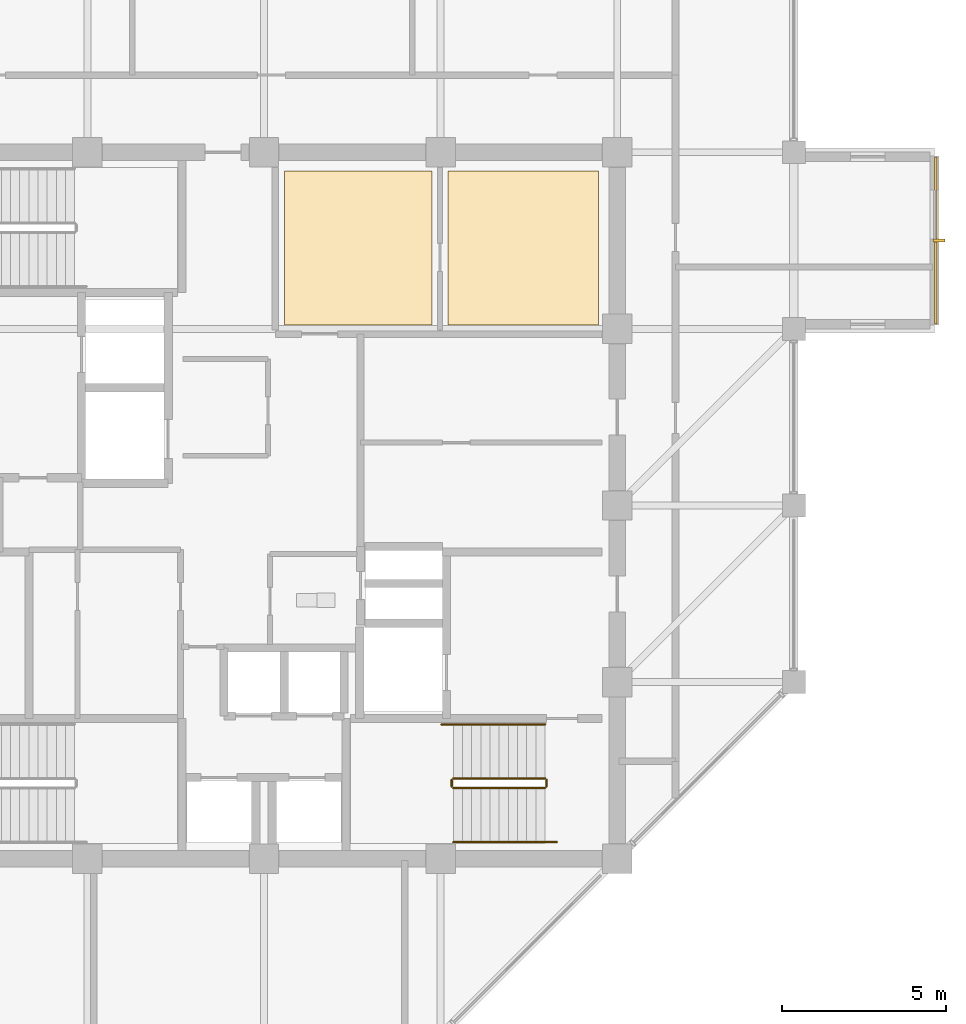
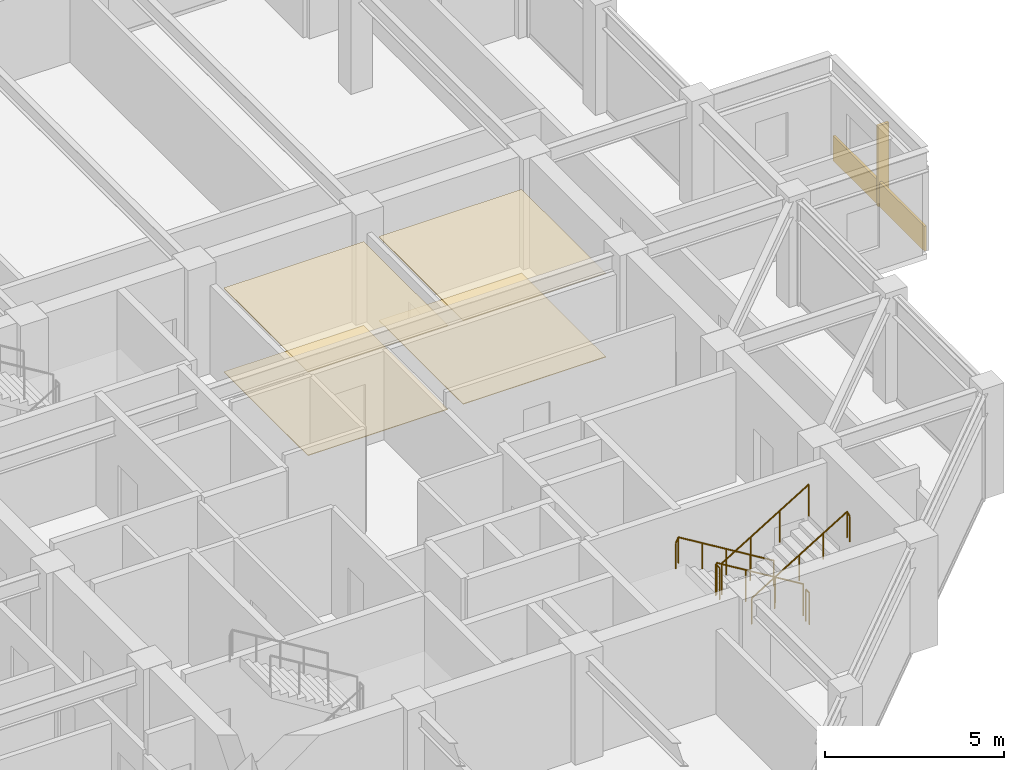
# One storey, part 30 of 31: 6 railings, 5 coverings, 1 shading device.
"""IFC4 building model written with IfcOpenShell, lengths in metres."""

from ifc_helpers import new_model, si_unit, direction, frame, origin, origin_2d, place, context, subcontext, project, spatial, polyline, rectangle, circle, outline, extrude, material, layer, layer_set, type_object, element, save


model = new_model("IFC4")

# Units and contexts
model_context = context("Model", 3, precision=1e-05, world=origin(), true_north=direction((0.0, 1.0)))
body_context = subcontext(model_context, "Body", "Model", "MODEL_VIEW")
ifc_project = project(units=[si_unit("LENGTHUNIT", "METRE"), si_unit("AREAUNIT", "SQUARE_METRE"), si_unit("VOLUMEUNIT", "CUBIC_METRE"), si_unit("PLANEANGLEUNIT", "RADIAN"), si_unit("MASSUNIT", "GRAM", prefix="KILO")], contexts=[model_context])

# Site, building, storey
site_placement = place(None, origin())
site = spatial("IfcSite", under=ifc_project, at=site_placement, CompositionType="ELEMENT")
building_placement = place(site_placement, origin())
building = spatial("IfcBuilding", under=site, at=building_placement, Name="Surkhivell Harbour Commons", CompositionType="ELEMENT")
storey_placement = place(building_placement, frame((0.0, 0.0, 266.25)))
storey = spatial("IfcBuildingStorey", under=building, at=storey_placement, Name="L69", CompositionType="ELEMENT", Elevation=266.25)

# Coverings
ifc_material_1 = material(Name="Perforated acoustic mineral-fibre ceiling tile", Category="other")
ifc_layer_1 = layer(ifc_material_1, 0.02490234375)
ifc_layer_set_1 = layer_set([ifc_layer_1], Name="Perforated acoustic mineral-fibre ceiling tile")
covering_type_1 = type_object("IfcCoveringType", Name="COV-CEIL-AC", PredefinedType="CEILING", material=ifc_layer_set_1)
covering_1_placement = place(storey_placement, frame((0.0, 0.0, 2.85205078125)))
element("IfcCovering", 1, at=covering_1_placement, inside=storey, type_object=covering_type_1, Name="L69 Suspended Acoustic Ceiling 1", PredefinedType="CEILING", context=body_context, shape_type="SweptSolid", body=[
    extrude(outline(polyline([(0.6201171875, 5.52001953125), (5.1298828125, 5.52001953125), (5.1298828125, 10.219970703125), (0.6201171875, 10.219970703125), (0.6201171875, 5.52001953125)])), origin(), (0.0, 0.0, 1.0), 0.02490234375),
])
ifc_material_2 = material(Name="Moisture-resistant gypsum acoustic ceiling board", Category="other")
ifc_layer_2 = layer(ifc_material_2, 0.030029296875)
ifc_layer_set_2 = layer_set([ifc_layer_2], Name="Moisture-resistant gypsum acoustic ceiling board")
covering_type_2 = type_object("IfcCoveringType", Name="COV-CEIL-GYP", PredefinedType="CEILING", material=ifc_layer_set_2)
covering_2_placement = place(storey_placement, frame((0.0, 0.0, 2.846923828125)))
element("IfcCovering", 2, at=covering_2_placement, inside=storey, type_object=covering_type_2, Name="L69 Suspended Acoustic Ceiling 2", PredefinedType="CEILING", context=body_context, shape_type="SweptSolid", body=[
    extrude(outline(polyline([(5.6201171875, 5.52001953125), (10.219970703125, 5.52001953125), (10.219970703125, 10.219970703125), (5.6201171875, 10.219970703125), (5.6201171875, 5.52001953125)])), origin(), (0.0, 0.0, 1.0), 0.030029296875),
])
ifc_material_3 = material(Name="Emerald-teal enamelled aluminium cassette panel", Category="aluminium")
ifc_layer_3 = layer(ifc_material_3, 0.068115234375)
ifc_layer_set_3 = layer_set([ifc_layer_3], Name="Emerald-teal enamelled aluminium cassette panel")
covering_type_3 = type_object("IfcCoveringType", Name="COV-CLAD-EME", PredefinedType="CLADDING", material=ifc_layer_set_3)
covering_3_placement = place(storey_placement, frame((20.5400390625, 8.10009765625, 0.0), z_axis=(0.0, 0.0, 1.0), x_axis=(1.0, 0.0, 0.0)))
element("IfcCovering", 3, at=covering_3_placement, inside=storey, type_object=covering_type_3, Name="L69 Coloured-Panel Box Spandrel Cassette 01", PredefinedType="CLADDING", context=body_context, shape_type="SweptSolid", body=[
    extrude(rectangle(XDim=0.080078125, YDim=5.10009765625, at=origin_2d()), origin(), (0.0, 0.0, 1.0), 0.840087890625),
])
ifc_material_4 = material(Name="Engineered acoustic oak timber flooring", Category="wood")
ifc_layer_4 = layer(ifc_material_4, 0.02001953125)
ifc_layer_set_4 = layer_set([ifc_layer_4], Name="Engineered acoustic oak timber flooring")
covering_type_4 = type_object("IfcCoveringType", Name="COV-FLR-TIM", PredefinedType="FLOORING", material=ifc_layer_set_4)
covering_4_placement = place(storey_placement, origin())
element("IfcCovering", 4, at=covering_4_placement, inside=storey, type_object=covering_type_4, Name="L69 Interior Floor Finish 1", PredefinedType="FLOORING", context=body_context, shape_type="SweptSolid", body=[
    extrude(outline(polyline([(0.6201171875, 5.52001953125), (5.1298828125, 5.52001953125), (5.1298828125, 10.219970703125), (0.6201171875, 10.219970703125), (0.6201171875, 5.52001953125)])), origin(), (0.0, 0.0, 1.0), 0.02001953125),
])
covering_5_placement = place(storey_placement, origin())
element("IfcCovering", 5, at=covering_5_placement, inside=storey, type_object=covering_type_4, Name="L69 Interior Floor Finish 2", PredefinedType="FLOORING", context=body_context, shape_type="SweptSolid", body=[
    extrude(outline(polyline([(5.6201171875, 5.52001953125), (10.219970703125, 5.52001953125), (10.219970703125, 10.219970703125), (5.6201171875, 10.219970703125), (5.6201171875, 5.52001953125)])), origin(), (0.0, 0.0, 1.0), 0.02001953125),
])

# Railings
ifc_material_5 = material(Name="Galvanised and painted steel S355 guard rail", Category="steel")
railing_type_1 = type_object("IfcRailingType", Name="RAL-ST-GRD1100", PredefinedType="GUARDRAIL", material=ifc_material_5)
railing_1_placement = place(storey_placement, frame((8.590087890625, -8.340087890625, 0.17041015625)))
element("IfcRailing", 6, at=railing_1_placement, inside=storey, type_object=railing_type_1, Name="L69 ST2 stair guard 1", PredefinedType="GUARDRAIL", context=body_context, shape_type="SweptSolid", body=[
    extrude(circle(Radius=0.02392578125, at=origin_2d()), frame((0.0, 0.0, 1.076171875), z_axis=(-0.854169791009, 0.0, 0.51999420009), x_axis=(0.0, -1.0, 0.0)), (0.0, 0.0, 1.0), 3.278076171875),
    extrude(circle(Radius=0.02099609375, at=origin_2d()), origin(), (0.0, 0.0, 1.0), 1.052001953125),
    extrude(circle(Radius=0.02099609375, at=origin_2d()), frame((-0.933349609375, 0.0, 0.568115234375)), (0.0, 0.0, 1.0), 1.052001953125),
    extrude(circle(Radius=0.02099609375, at=origin_2d()), frame((-1.86669921875, 0.0, 1.136474609375)), (0.0, 0.0, 1.0), 1.052001953125),
    extrude(circle(Radius=0.02099609375, at=origin_2d()), frame((-2.800048828125, 0.0, 1.70458984375)), (0.0, 0.0, 1.0), 1.052001953125),
])
railing_2_placement = place(storey_placement, frame((5.739990234375, -8.389892578125, 1.875)))
element("IfcRailing", 7, at=railing_2_placement, inside=storey, type_object=railing_type_1, Name="L69 ST2 stair guard 2", PredefinedType="GUARDRAIL", context=body_context, shape_type="SweptSolid", body=[
    extrude(circle(Radius=0.02392578125, at=origin_2d()), frame((0.0, 0.0, 1.076171875), z_axis=(0.0, -1.0, 0.0), x_axis=(1.0, 0.0, 0.0)), (0.0, 0.0, 1.0), 0.2001953125),
    extrude(circle(Radius=0.02099609375, at=origin_2d()), origin(), (0.0, 0.0, 1.0), 1.052001953125),
    extrude(circle(Radius=0.02099609375, at=origin_2d()), frame((0.0, -0.2001953125, 0.0)), (0.0, 0.0, 1.0), 1.052001953125),
])
railing_3_placement = place(storey_placement, frame((5.7900390625, -8.639892578125, 2.04541015625)))
element("IfcRailing", 8, at=railing_3_placement, inside=storey, type_object=railing_type_1, Name="L69 ST2 stair guard 3", PredefinedType="GUARDRAIL", context=body_context, shape_type="SweptSolid", body=[
    extrude(circle(Radius=0.02392578125, at=origin_2d()), frame((0.0, 0.0, 1.076171875), z_axis=(0.854169791009, 0.0, 0.51999420009), x_axis=(0.0, 1.0, 0.0)), (0.0, 0.0, 1.0), 3.278076171875),
    extrude(circle(Radius=0.02099609375, at=origin_2d()), origin(), (0.0, 0.0, 1.0), 1.052001953125),
    extrude(circle(Radius=0.02099609375, at=origin_2d()), frame((0.933349609375, 0.0, 0.568115234375)), (0.0, 0.0, 1.0), 1.052001953125),
    extrude(circle(Radius=0.02099609375, at=origin_2d()), frame((1.86669921875, 0.0, 1.136474609375)), (0.0, 0.0, 1.0), 1.052001953125),
    extrude(circle(Radius=0.02099609375, at=origin_2d()), frame((2.800048828125, 0.0, 1.70458984375)), (0.0, 0.0, 1.0), 1.052001953125),
])
railing_4_placement = place(storey_placement, frame((8.639892578125, -8.389892578125, 0.0)))
element("IfcRailing", 9, at=railing_4_placement, inside=storey, type_object=railing_type_1, Name="L69 ST2 stair guard 4", PredefinedType="GUARDRAIL", context=body_context, shape_type="SweptSolid", body=[
    extrude(circle(Radius=0.02392578125, at=origin_2d()), frame((0.0, 0.0, 1.076171875), z_axis=(0.0, -1.0, 0.0), x_axis=(1.0, 0.0, 0.0)), (0.0, 0.0, 1.0), 0.2001953125),
    extrude(circle(Radius=0.02099609375, at=origin_2d()), origin(), (0.0, 0.0, 1.0), 1.052001953125),
    extrude(circle(Radius=0.02099609375, at=origin_2d()), frame((0.0, -0.2001953125, 0.0)), (0.0, 0.0, 1.0), 1.052001953125),
])
ifc_material_6 = material(Name="Brushed stainless steel S355 handrail", Category="steel")
railing_type_2 = type_object("IfcRailingType", Name="RAL-ST-HND900", PredefinedType="HANDRAIL", material=ifc_material_6)
railing_5_placement = place(storey_placement, frame((8.590087890625, -6.68994140625, 0.17041015625)))
element("IfcRailing", 10, at=railing_5_placement, inside=storey, type_object=railing_type_2, Name="L69 ST2 stair handrail 1", PredefinedType="HANDRAIL", context=body_context, shape_type="SweptSolid", body=[
    extrude(circle(Radius=0.02392578125, at=origin_2d()), frame((0.0, 0.0, 0.8759765625), z_axis=(-0.854177636135, 0.0, 0.519981313056), x_axis=(0.0, -1.0, 0.0)), (0.0, 0.0, 1.0), 3.60595703125),
    extrude(circle(Radius=0.02392578125, at=origin_2d()), frame((-3.080078125, 0.0, 2.7509765625), z_axis=(-0.425297416671, 0.0, -0.905053648892), x_axis=(0.0, -1.0, 0.0)), (0.0, 0.0, 1.0), 0.188232421875),
    extrude(circle(Radius=0.02099609375, at=origin_2d()), origin(), (0.0, 0.0, 1.0), 0.851806640625),
    extrude(circle(Radius=0.02099609375, at=origin_2d()), frame((-0.77001953125, 0.0, 0.46875)), (0.0, 0.0, 1.0), 0.851806640625),
    extrude(circle(Radius=0.02099609375, at=origin_2d()), frame((-1.5400390625, 0.0, 0.9375)), (0.0, 0.0, 1.0), 0.851806640625),
    extrude(circle(Radius=0.02099609375, at=origin_2d()), frame((-2.31005859375, 0.0, 1.40625)), (0.0, 0.0, 1.0), 0.851806640625),
    extrude(circle(Radius=0.02099609375, at=origin_2d()), frame((-3.080078125, 0.0, 1.875)), (0.0, 0.0, 1.0), 0.851806640625),
    extrude(circle(Radius=0.02099609375, at=origin_2d()), frame((-3.16015625, 0.0, 1.70458984375)), (0.0, 0.0, 1.0), 0.851806640625),
])
railing_6_placement = place(storey_placement, frame((5.7900390625, -10.2900390625, 2.04541015625)))
element("IfcRailing", 11, at=railing_6_placement, inside=storey, type_object=railing_type_2, Name="L69 ST2 stair handrail 2", PredefinedType="HANDRAIL", context=body_context, shape_type="SweptSolid", body=[
    extrude(circle(Radius=0.02392578125, at=origin_2d()), frame((0.0, 0.0, 0.8759765625), z_axis=(0.854177636135, 0.0, 0.519981313056), x_axis=(0.0, 1.0, 0.0)), (0.0, 0.0, 1.0), 3.60595703125),
    extrude(circle(Radius=0.02392578125, at=origin_2d()), frame((3.080078125, 0.0, 2.7509765625), z_axis=(0.424234432967, 0.0, -0.905552398199), x_axis=(0.0, 1.0, 0.0)), (0.0, 0.0, 1.0), 0.188232421875),
    extrude(circle(Radius=0.02099609375, at=origin_2d()), origin(), (0.0, 0.0, 1.0), 0.851806640625),
    extrude(circle(Radius=0.02099609375, at=origin_2d()), frame((0.77001953125, 0.0, 0.46875)), (0.0, 0.0, 1.0), 0.851806640625),
    extrude(circle(Radius=0.02099609375, at=origin_2d()), frame((1.5400390625, 0.0, 0.9375)), (0.0, 0.0, 1.0), 0.851806640625),
    extrude(circle(Radius=0.02099609375, at=origin_2d()), frame((2.31005859375, 0.0, 1.40625)), (0.0, 0.0, 1.0), 0.851806640625),
    extrude(circle(Radius=0.02099609375, at=origin_2d()), frame((3.080078125, 0.0, 1.875)), (0.0, 0.0, 1.0), 0.851806640625),
    extrude(circle(Radius=0.02099609375, at=origin_2d()), frame((3.159912109375, 0.0, 1.70458984375)), (0.0, 0.0, 1.0), 0.851806640625),
])

# Shading device
ifc_material_7 = material(Name="Anodised pale-metal aluminium solar fin", Category="aluminium")
shading_device_type = type_object("IfcShadingDeviceType", Name="SHD-FIN-VERT", PredefinedType="USERDEFINED", material=ifc_material_7)
shading_device_placement = place(storey_placement, frame((20.639892578125, 8.10009765625, 0.0048828125), z_axis=(0.0, 0.0, 1.0), x_axis=(1.0, 0.0, 0.0)))
element("IfcShadingDevice", 12, at=shading_device_placement, inside=storey, type_object=shading_device_type, Name="L69 Coloured-Box Solar Fin 01", ObjectType="FIN", PredefinedType="USERDEFINED", context=body_context, shape_type="SweptSolid", body=[
    extrude(rectangle(XDim=0.360107421875, YDim=0.090087890625, at=origin_2d()), origin(), (0.0, 0.0, 1.0), 2.75),
])

save(model, "model.ifc")
